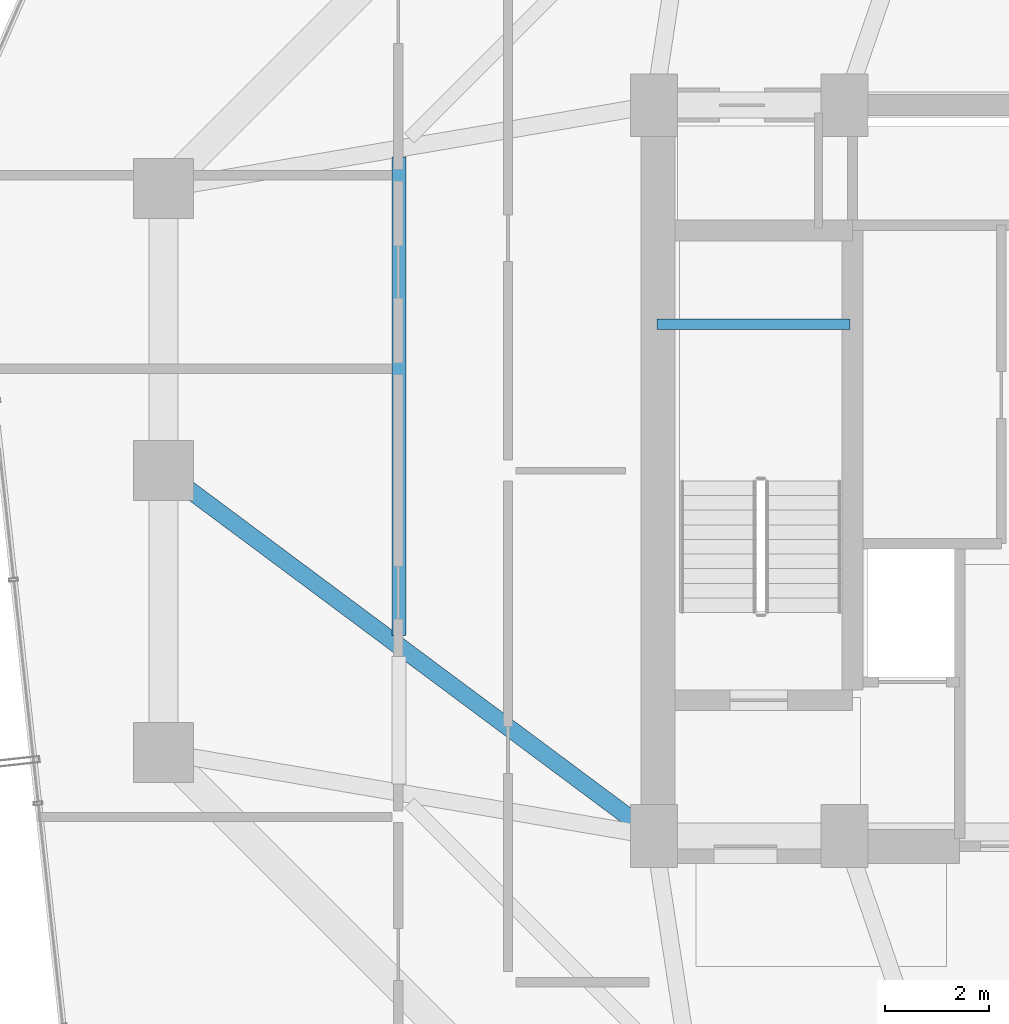
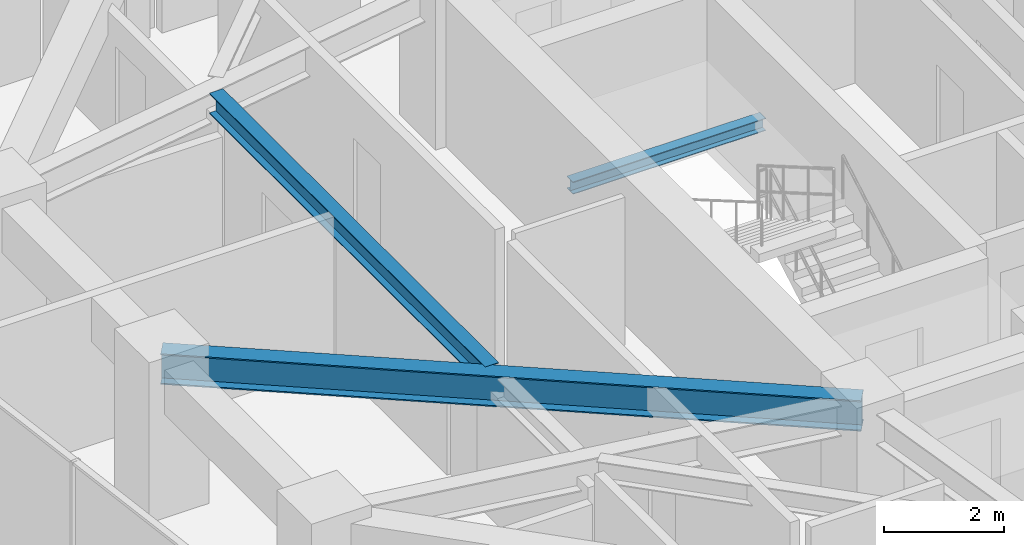
# One storey, part 12 of 34: 3 beams.
"""IFC4 building model written with IfcOpenShell, lengths in metres."""

from ifc_helpers import new_model, si_unit, direction, frame, origin, origin_2d, place, context, subcontext, project, spatial, i_section, extrude, material, material_profile, profile_set, type_object, element, save


model = new_model("IFC4")

# Units and contexts
model_context = context("Model", 3, precision=1e-05, world=origin(), true_north=direction((0.0, 1.0)))
body_context = subcontext(model_context, "Body", "Model", "MODEL_VIEW")
ifc_project = project(units=[si_unit("LENGTHUNIT", "METRE"), si_unit("AREAUNIT", "SQUARE_METRE"), si_unit("VOLUMEUNIT", "CUBIC_METRE"), si_unit("PLANEANGLEUNIT", "RADIAN"), si_unit("MASSUNIT", "GRAM", prefix="KILO")], contexts=[model_context])

# Site, building, storey
site_placement = place(None, origin())
site = spatial("IfcSite", under=ifc_project, at=site_placement, CompositionType="ELEMENT")
building_placement = place(site_placement, origin())
building = spatial("IfcBuilding", under=site, at=building_placement, Name="Veraguas Prism Commons", CompositionType="ELEMENT")
storey_placement = place(building_placement, frame((0.0, 0.0, 149.0)))
storey = spatial("IfcBuildingStorey", under=building, at=storey_placement, Name="L42", CompositionType="ELEMENT", Elevation=149.0)

# Beams
ifc_material = material(Name="Steel ASTM A992 Grade 50", Category="steel")
ifc_material_profile_1 = material_profile(ifc_material, i_section(OverallWidth=0.260986328125, OverallDepth=0.419921875, WebThickness=0.01171875, FlangeThickness=0.019287109375, at=origin_2d()), Name="W410X114")
ifc_profile_set_1 = profile_set([ifc_material_profile_1], Name="Steel ASTM A992 Grade 50")
beam_type_1 = type_object("IfcBeamType", Name="Lower Floor Joist W410x114", PredefinedType="JOIST", material=ifc_profile_set_1)
beam_1_placement = place(storey_placement, frame((12.31201171875, 30.003662109375, 2.7900390625), z_axis=(0.0, -1.0, 0.0), x_axis=(1.0, 0.0, 0.0)))
element("IfcBeam", 1, at=beam_1_placement, inside=storey, type_object=beam_type_1, Name="Composite Floor Joist L42-JS07", PredefinedType="JOIST", context=body_context, shape_type="SweptSolid", body=[
    extrude(i_section(OverallWidth=0.260986328125, OverallDepth=0.419921875, WebThickness=0.01171875, FlangeThickness=0.019287109375, at=origin_2d()), origin(), (0.0, 0.0, 1.0), 9.16162109375),
])
ifc_material_profile_2 = material_profile(ifc_material, i_section(OverallWidth=0.202880859375, OverallDepth=0.251953125, WebThickness=0.008056640625, FlangeThickness=0.013427734375, at=origin_2d()), Name="W250X58")
ifc_profile_set_2 = profile_set([ifc_material_profile_2], Name="Steel ASTM A992 Grade 50")
beam_type_2 = type_object("IfcBeamType", Name="Structural Opening Lintel W250x58", PredefinedType="LINTEL", material=ifc_profile_set_2)
beam_2_placement = place(storey_placement, frame((17.25, 26.800048828125, 1.299072265625), z_axis=(1.0, 0.0, 0.0), x_axis=(0.0, 1.0, 0.0)))
element("IfcBeam", 2, at=beam_2_placement, inside=storey, type_object=beam_type_2, Name="Stair ST-01 Half-Landing Support Beam L42-1", PredefinedType="LINTEL", context=body_context, shape_type="SweptSolid", body=[
    extrude(i_section(OverallWidth=0.202880859375, OverallDepth=0.251953125, WebThickness=0.008056640625, FlangeThickness=0.013427734375, at=origin_2d()), origin(), (0.0, 0.0, 1.0), 3.699951171875),
])
ifc_material_profile_3 = material_profile(ifc_material, i_section(OverallWidth=0.327880859375, OverallDepth=0.6220703125, WebThickness=0.015380859375, FlangeThickness=0.0244140625, at=origin_2d()), Name="W610X195")
ifc_profile_set_3 = profile_set([ifc_material_profile_3], Name="Steel ASTM A992 Grade 50")
beam_type_3 = type_object("IfcBeamType", Name="Zone 2 Radial Girder W610x195", PredefinedType="BEAM", material=ifc_profile_set_3)
beam_3_placement = place(storey_placement, frame((7.800048828125, 24.0, 2.68896484375), z_axis=(0.802040137921, -0.597270137512, 0.0), x_axis=(0.597270137512, 0.802040137921, 0.0)))
element("IfcBeam", 3, at=beam_3_placement, inside=storey, type_object=beam_type_3, Name="Radial Floor Girder L42-RD08", PredefinedType="BEAM", context=body_context, shape_type="SweptSolid", body=[
    extrude(i_section(OverallWidth=0.327880859375, OverallDepth=0.6220703125, WebThickness=0.015380859375, FlangeThickness=0.0244140625, at=origin_2d()), origin(), (0.0, 0.0, 1.0), 11.719970703125),
])

save(model, "model.ifc")
